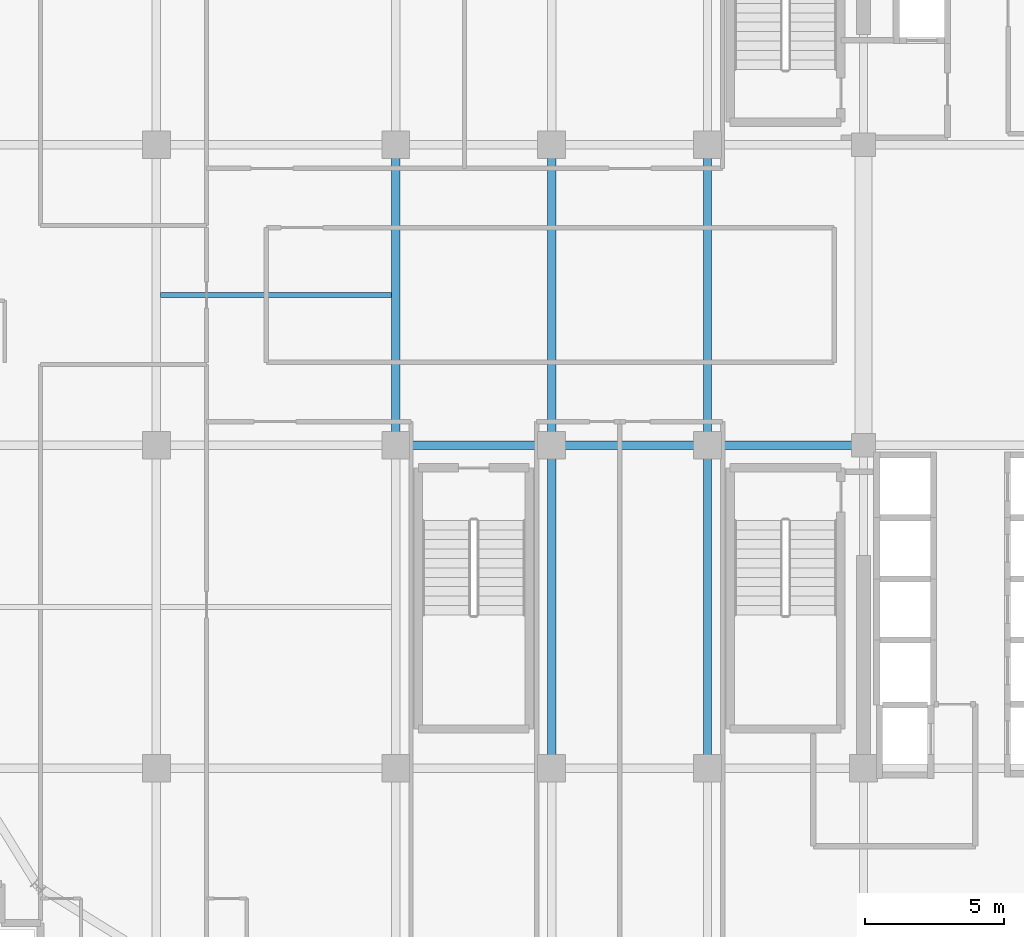
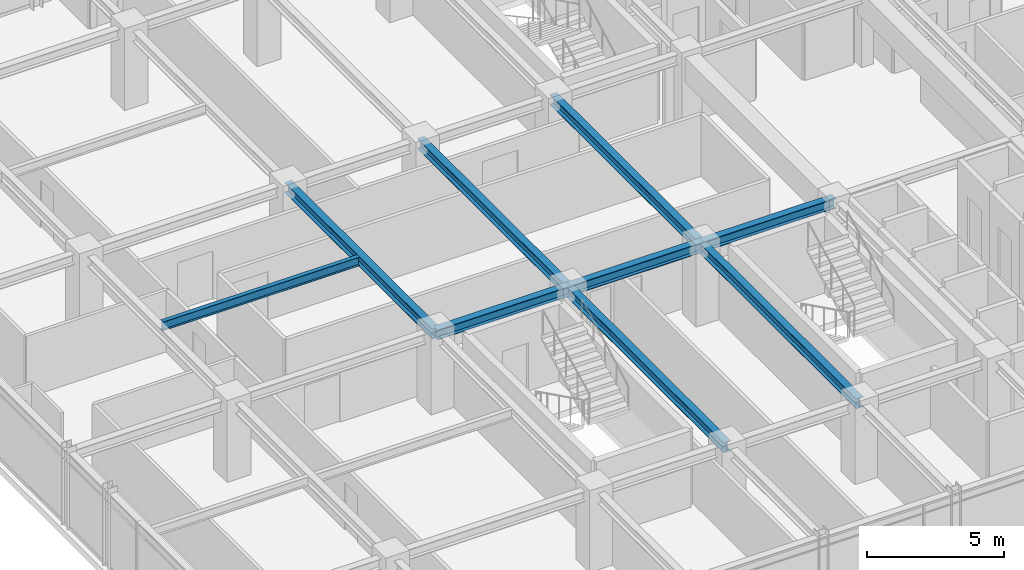
# One storey, part 11 of 34: 9 beams.
"""IFC4 building model written with IfcOpenShell, lengths in metres."""

from ifc_helpers import new_model, si_unit, direction, frame, origin, origin_2d, place, context, subcontext, project, spatial, i_section, extrude, source, transform, mapped, material, material_profile, profile_set, type_object, element, save


model = new_model("IFC4")

# Units and contexts
model_context = context("Model", 3, precision=1e-05, world=origin(), true_north=direction((0.0, 1.0)))
body_context = subcontext(model_context, "Body", "Model", "MODEL_VIEW")
ifc_project = project(units=[si_unit("LENGTHUNIT", "METRE"), si_unit("AREAUNIT", "SQUARE_METRE"), si_unit("VOLUMEUNIT", "CUBIC_METRE"), si_unit("PLANEANGLEUNIT", "RADIAN"), si_unit("MASSUNIT", "GRAM", prefix="KILO")], contexts=[model_context])

# Site, building, storey
site_placement = place(None, origin())
site = spatial("IfcSite", under=ifc_project, at=site_placement, CompositionType="ELEMENT")
building_placement = place(site_placement, origin())
building = spatial("IfcBuilding", under=site, at=building_placement, Name="Nahalor Promenade Grand Hotel", CompositionType="ELEMENT")
storey_placement = place(building_placement, frame((0.0, 0.0, 238.199951171875)))
storey = spatial("IfcBuildingStorey", under=building, at=storey_placement, Name="L61", CompositionType="ELEMENT", Elevation=238.199951171875)

# Beams
ifc_material = material(Name="Steel S355JR", Category="steel")
ifc_material_profile_1 = material_profile(ifc_material, i_section(OverallWidth=0.3, OverallDepth=0.45, WebThickness=0.014, FlangeThickness=0.026, at=origin_2d()), Name="HEB 450")
ifc_profile_set_1 = profile_set([ifc_material_profile_1], Name="Steel S355JR")
beam_type_1 = type_object("IfcBeamType", Name="Beam-Girder-HEB450", PredefinedType="BEAM", material=ifc_profile_set_1)
shared_shape_1 = source(origin(), body_context, "Body", "SweptSolid", [
    extrude(i_section(OverallWidth=0.3, OverallDepth=0.45, WebThickness=0.014, FlangeThickness=0.026, at=origin_2d()), origin(), (0.0, 0.0, 1.0), 5.599853515625),
])
for number, where, z_axis, x_axis, name in (
    (1, (-8.39990234375, -5.39990234375, 3.18505859375), (1.0, 0.0, 0.0), (0.0, 1.0, 0.0), "BM-L61-GX-1-2"),
    (2, (2.800048828125, -5.39990234375, 3.18505859375), (1.0, 0.0, 0.0), (0.0, 1.0, 0.0), "BM-L61-GX-1-4"),
):
    element("IfcBeam", number, at=place(storey_placement, frame(where, z_axis=z_axis, x_axis=x_axis)), inside=storey, type_object=beam_type_1, Name=name, PredefinedType="BEAM", context=body_context, shape_type="MappedRepresentation", body=[
        mapped(shared_shape_1, transform((0.0, 0.0, 0.0), scale=1.0)),
    ])
shared_shape_2 = source(origin(), body_context, "Body", "SweptSolid", [
    extrude(i_section(OverallWidth=0.3, OverallDepth=0.45, WebThickness=0.014, FlangeThickness=0.026, at=origin_2d()), origin(), (0.0, 0.0, 1.0), 5.60009765625),
])
beam_1_placement = place(storey_placement, frame((-2.800048828125, -5.39990234375, 3.18505859375), z_axis=(1.0, 0.0, 0.0), x_axis=(0.0, 1.0, 0.0)))
element("IfcBeam", 3, at=beam_1_placement, inside=storey, type_object=beam_type_1, Name="BM-L61-GX-1-3", PredefinedType="BEAM", context=body_context, shape_type="MappedRepresentation", body=[
    mapped(shared_shape_2, transform((0.0, 0.0, 0.0), scale=1.0)),
])
shared_shape_3 = source(origin(), body_context, "Body", "SweptSolid", [
    extrude(i_section(OverallWidth=0.3, OverallDepth=0.45, WebThickness=0.014, FlangeThickness=0.026, at=origin_2d()), origin(), (0.0, 0.0, 1.0), 11.60009765625),
])
for number, where, z_axis, x_axis, name in (
    (4, (-2.800048828125, -17.0, 3.18505859375), (0.0, 1.0, 0.0), (-1.0, 0.0, 0.0), "BM-L61-GY-2-1"),
    (5, (2.800048828125, -17.0, 3.18505859375), (0.0, 1.0, 0.0), (-1.0, 0.0, 0.0), "BM-L61-GY-3-1"),
):
    element("IfcBeam", number, at=place(storey_placement, frame(where, z_axis=z_axis, x_axis=x_axis)), inside=storey, type_object=beam_type_1, Name=name, PredefinedType="BEAM", context=body_context, shape_type="MappedRepresentation", body=[
        mapped(shared_shape_3, transform((0.0, 0.0, 0.0), scale=1.0)),
    ])
shared_shape_4 = source(origin(), body_context, "Body", "SweptSolid", [
    extrude(i_section(OverallWidth=0.3, OverallDepth=0.45, WebThickness=0.014, FlangeThickness=0.026, at=origin_2d()), origin(), (0.0, 0.0, 1.0), 10.7998046875),
])
for number, where, z_axis, x_axis, name in (
    (6, (-8.39990234375, -5.39990234375, 3.18505859375), (0.0, 1.0, 0.0), (-1.0, 0.0, 0.0), "BM-L61-GY-1-2"),
    (7, (-2.800048828125, -5.39990234375, 3.18505859375), (0.0, 1.0, 0.0), (-1.0, 0.0, 0.0), "BM-L61-GY-2-2"),
    (8, (2.800048828125, -5.39990234375, 3.18505859375), (0.0, 1.0, 0.0), (-1.0, 0.0, 0.0), "BM-L61-GY-3-2"),
):
    element("IfcBeam", number, at=place(storey_placement, frame(where, z_axis=z_axis, x_axis=x_axis)), inside=storey, type_object=beam_type_1, Name=name, PredefinedType="BEAM", context=body_context, shape_type="MappedRepresentation", body=[
        mapped(shared_shape_4, transform((0.0, 0.0, 0.0), scale=1.0)),
    ])
ifc_material_profile_2 = material_profile(ifc_material, i_section(OverallWidth=0.18, OverallDepth=0.4, WebThickness=0.0086, FlangeThickness=0.0135, at=origin_2d()), Name="IPE 400")
ifc_profile_set_2 = profile_set([ifc_material_profile_2], Name="Steel S355JR")
beam_type_2 = type_object("IfcBeamType", Name="Beam-Joist-IPE400", PredefinedType="JOIST", material=ifc_profile_set_2)
shared_shape_5 = source(origin(), body_context, "Body", "SweptSolid", [
    extrude(i_section(OverallWidth=0.18, OverallDepth=0.4, WebThickness=0.0086, FlangeThickness=0.0135, at=origin_2d()), origin(), (0.0, 0.0, 1.0), 8.300048828125),
])
beam_2_placement = place(storey_placement, frame((-16.85009765625, 0.0, 3.2099609375), z_axis=(1.0, 0.0, 0.0), x_axis=(0.0, 1.0, 0.0)))
element("IfcBeam", 9, at=beam_2_placement, inside=storey, type_object=beam_type_2, Name="BM-L61-JSC-0", PredefinedType="JOIST", context=body_context, shape_type="MappedRepresentation", body=[
    mapped(shared_shape_5, transform((0.0, 0.0, 0.0), scale=1.0)),
])

save(model, "model.ifc")
